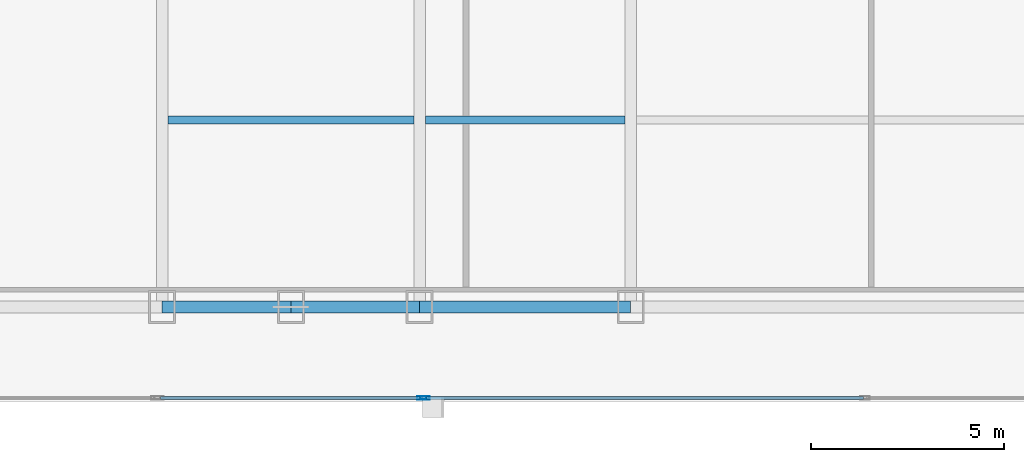
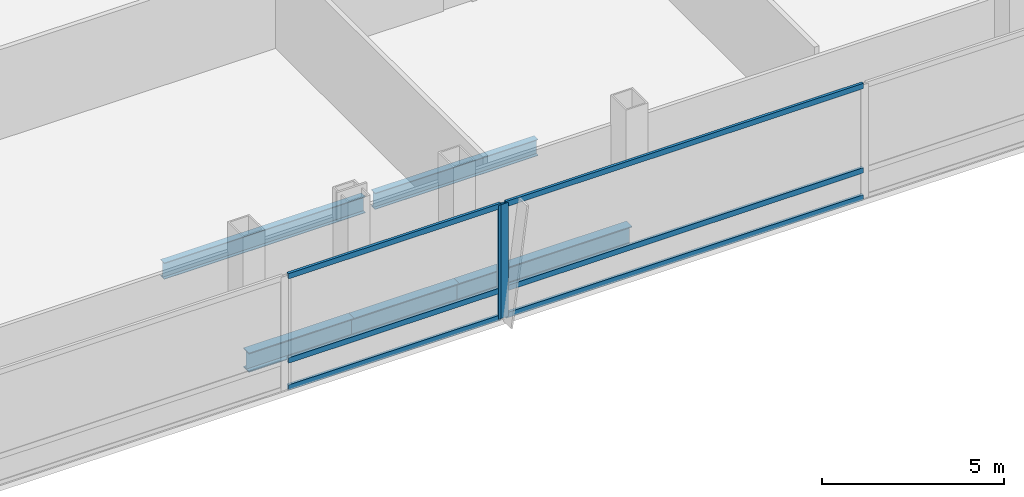
# One storey, part 8 of 30: 8 members, 5 beams, 2 elements without a shape of their own.
"""IFC4 building model written with IfcOpenShell, lengths in metres."""

from ifc_helpers import new_model, si_unit, direction, frame, origin, origin_2d, place, context, subcontext, project, spatial, hollow_rectangle, i_section, extrude, material, material_profile, profile_set, type_object, element, aggregate, save


model = new_model("IFC4")

# Units and contexts
model_context = context("Model", 3, precision=1e-05, world=origin(), true_north=direction((0.0, 1.0)))
body_context = subcontext(model_context, "Body", "Model", "MODEL_VIEW")
ifc_project = project(units=[si_unit("LENGTHUNIT", "METRE"), si_unit("AREAUNIT", "SQUARE_METRE"), si_unit("VOLUMEUNIT", "CUBIC_METRE"), si_unit("PLANEANGLEUNIT", "RADIAN"), si_unit("MASSUNIT", "GRAM", prefix="KILO")], contexts=[model_context])

# Site, building, storey
site_placement = place(None, origin())
site = spatial("IfcSite", under=ifc_project, at=site_placement, CompositionType="ELEMENT")
building_placement = place(site_placement, origin())
building = spatial("IfcBuilding", under=site, at=building_placement, Name="Khoronbel Lancet Exchange", CompositionType="ELEMENT")
storey_placement = place(building_placement, frame((0.0, 0.0, 90.60009765625)))
storey = spatial("IfcBuildingStorey", under=building, at=storey_placement, Name="L21", CompositionType="ELEMENT", Elevation=90.60009765625)

# Beams
ifc_material_1 = material(Name="Steel S355", Category="steel")
ifc_material_profile_1 = material_profile(ifc_material_1, i_section(OverallWidth=0.2099609375, OverallDepth=0.550048828125, WebThickness=0.010986328125, FlangeThickness=0.01708984375, at=origin_2d()), Name="IPE 550")
ifc_profile_set_1 = profile_set([ifc_material_profile_1], Name="Steel S355")
beam_type_1 = type_object("IfcBeamType", Name="BM-BJ2", PredefinedType="JOIST", material=ifc_profile_set_1)
beam_1_placement = place(storey_placement, frame((18.375, 15.0, -0.455078125), z_axis=(1.0, 0.0, 0.0), x_axis=(0.0, 1.0, 0.0)))
element("IfcBeam", 1, at=beam_1_placement, inside=storey, type_object=beam_type_1, Name="Level L21 secondary composite joist J01", PredefinedType="JOIST", context=body_context, shape_type="SweptSolid", body=[
    extrude(i_section(OverallWidth=0.2099609375, OverallDepth=0.550048828125, WebThickness=0.010986328125, FlangeThickness=0.01708984375, at=origin_2d()), origin(), (0.0, 0.0, 1.0), 6.375),
])
beam_2_placement = place(storey_placement, frame((25.050048828125, 15.0, -0.455078125), z_axis=(1.0, 0.0, 0.0), x_axis=(0.0, 1.0, 0.0)))
element("IfcBeam", 2, at=beam_2_placement, inside=storey, type_object=beam_type_1, Name="Level L21 secondary composite joist J02", PredefinedType="JOIST", context=body_context, shape_type="SweptSolid", body=[
    extrude(i_section(OverallWidth=0.2099609375, OverallDepth=0.550048828125, WebThickness=0.010986328125, FlangeThickness=0.01708984375, at=origin_2d()), origin(), (0.0, 0.0, 1.0), 5.175048828125),
])
ifc_material_profile_2 = material_profile(ifc_material_1, i_section(OverallWidth=0.300048828125, OverallDepth=0.64990234375, WebThickness=0.01611328125, FlangeThickness=0.031005859375, at=origin_2d()), Name="HEB 650")
ifc_profile_set_2 = profile_set([ifc_material_profile_2], Name="Steel S355")
beam_type_2 = type_object("IfcBeamType", Name="BM-BSP1", PredefinedType="SPANDREL", material=ifc_profile_set_2)
for number, where, z_axis, x_axis, name in (
    (3, (18.22509765625, 10.14990234375, -0.505126953125), (1.0, 0.0, 0.0), (0.0, 1.0, 0.0), "Level L21 perimeter spandrel beam SP02"),
    (4, (21.5625, 10.14990234375, -0.505126953125), (1.0, 0.0, 0.0), (0.0, 1.0, 0.0), "Level L21 perimeter spandrel beam SP03"),
):
    element("IfcBeam", number, at=place(storey_placement, frame(where, z_axis=z_axis, x_axis=x_axis)), inside=storey, type_object=beam_type_2, Name=name, PredefinedType="SPANDREL", context=body_context, shape_type="SweptSolid", body=[
        extrude(i_section(OverallWidth=0.300048828125, OverallDepth=0.64990234375, WebThickness=0.01611328125, FlangeThickness=0.031005859375, at=origin_2d()), origin(), (0.0, 0.0, 1.0), 3.33740234375),
    ])
beam_3_placement = place(storey_placement, frame((24.89990234375, 10.14990234375, -0.505126953125), z_axis=(1.0, 0.0, 0.0), x_axis=(0.0, 1.0, 0.0)))
element("IfcBeam", 5, at=beam_3_placement, inside=storey, type_object=beam_type_2, Name="Level L21 perimeter spandrel beam SP04", PredefinedType="SPANDREL", context=body_context, shape_type="SweptSolid", body=[
    extrude(i_section(OverallWidth=0.300048828125, OverallDepth=0.64990234375, WebThickness=0.01611328125, FlangeThickness=0.031005859375, at=origin_2d()), origin(), (0.0, 0.0, 1.0), 5.47509765625),
])

# Curtain wall, member
ifc_material_2 = material(Name="Low-E Solar Control Insulating Glass", Category="glass")
curtain_wall_type = type_object("IfcCurtainWallType", Name="CW-2", PredefinedType="NOTDEFINED", material=ifc_material_2)
curtain_wall_1_placement = place(storey_placement, origin())
curtain_wall_1 = element("IfcCurtainWall", 6, at=curtain_wall_1_placement, inside=storey, type_object=curtain_wall_type, Name="Unitised curtain wall CW-L21-SWB", PredefinedType="NOTDEFINED")
ifc_material_3 = material(Name="Bronze-Anodised Aluminium 6063-T6", Category="aluminium")
ifc_material_profile_3 = material_profile(ifc_material_3, hollow_rectangle(XDim=0.0849609375, YDim=0.239990234375, WallThickness=0.006103515625, at=origin_2d()), Name="ALU MULLION 85x240")
ifc_profile_set_3 = profile_set([ifc_material_profile_3], Name="Bronze-Anodised Aluminium 6063-T6")
member_type_1 = type_object("IfcMemberType", Name="MEM-CWM1", PredefinedType="MULLION", material=ifc_profile_set_3)
member_1_placement = place(storey_placement, frame((24.95751953125, 7.7900390625, 0.0), z_axis=(0.0, 0.0, 1.0), x_axis=(0.0, 1.0, 0.0)))
member_1 = element("IfcMember", 7, at=member_1_placement, type_object=member_type_1, Name="CW2 mullion 2", PredefinedType="MULLION", context=body_context, shape_type="SweptSolid", body=[
    extrude(hollow_rectangle(XDim=0.0849609375, YDim=0.239990234375, WallThickness=0.006103515625, at=origin_2d()), origin(), (0.0, 0.0, 1.0), 3.81982421875),
])

curtain_wall_2_placement = place(storey_placement, origin())
curtain_wall_2 = element("IfcCurtainWall", 8, at=curtain_wall_2_placement, inside=storey, type_object=curtain_wall_type, Name="Unitised curtain wall CW-L21-SCV", PredefinedType="NOTDEFINED")
member_2_placement = place(storey_placement, frame((25.04248046875, 7.7900390625, 0.0), z_axis=(0.0, 0.0, 1.0), x_axis=(0.0, 1.0, 0.0)))
member_2 = element("IfcMember", 9, at=member_2_placement, type_object=member_type_1, Name="CW2 mullion 1", PredefinedType="MULLION", context=body_context, shape_type="SweptSolid", body=[
    extrude(hollow_rectangle(XDim=0.0849609375, YDim=0.239990234375, WallThickness=0.006103515625, at=origin_2d()), origin(), (0.0, 0.0, 1.0), 3.81982421875),
])

# Member
ifc_material_profile_4 = material_profile(ifc_material_3, hollow_rectangle(XDim=0.0849609375, YDim=0.179931640625, WallThickness=0.0048828125, at=origin_2d()), Name="ALU TRANSOM 85x180")
ifc_profile_set_4 = profile_set([ifc_material_profile_4], Name="Bronze-Anodised Aluminium 6063-T6")
member_type_2 = type_object("IfcMemberType", Name="MEM-CWT1", PredefinedType="USERDEFINED", material=ifc_profile_set_4)
member_3_placement = place(storey_placement, frame((18.18505859375, 7.7900390625, 0.04248046875), z_axis=(1.0, 0.0, 0.0), x_axis=(0.0, 1.0, 0.0)))
member_3 = element("IfcMember", 10, at=member_3_placement, type_object=member_type_2, Name="CW2 transom 1.1", ObjectType="TRANSOM", PredefinedType="USERDEFINED", context=body_context, shape_type="SweptSolid", body=[
    extrude(hollow_rectangle(XDim=0.0849609375, YDim=0.179931640625, WallThickness=0.0048828125, at=origin_2d()), origin(), (0.0, 0.0, 1.0), 6.72998046875),
])

member_4_placement = place(storey_placement, frame((18.18505859375, 7.7900390625, 0.949951171875), z_axis=(1.0, 0.0, 0.0), x_axis=(0.0, 1.0, 0.0)))
member_4 = element("IfcMember", 11, at=member_4_placement, type_object=member_type_2, Name="CW2 transom 1.2", ObjectType="TRANSOM", PredefinedType="USERDEFINED", context=body_context, shape_type="SweptSolid", body=[
    extrude(hollow_rectangle(XDim=0.0849609375, YDim=0.179931640625, WallThickness=0.0048828125, at=origin_2d()), origin(), (0.0, 0.0, 1.0), 6.72998046875),
])

member_5_placement = place(storey_placement, frame((18.18505859375, 7.7900390625, 3.77734375), z_axis=(1.0, 0.0, 0.0), x_axis=(0.0, 1.0, 0.0)))
member_5 = element("IfcMember", 12, at=member_5_placement, type_object=member_type_2, Name="CW2 transom 1.3", ObjectType="TRANSOM", PredefinedType="USERDEFINED", context=body_context, shape_type="SweptSolid", body=[
    extrude(hollow_rectangle(XDim=0.0849609375, YDim=0.179931640625, WallThickness=0.0048828125, at=origin_2d()), origin(), (0.0, 0.0, 1.0), 6.72998046875),
])

aggregate(curtain_wall_1, [member_1, member_3, member_4, member_5])

member_6_placement = place(storey_placement, frame((25.0849609375, 7.7900390625, 0.04248046875), z_axis=(1.0, 0.0, 0.0), x_axis=(0.0, 1.0, 0.0)))
member_6 = element("IfcMember", 13, at=member_6_placement, type_object=member_type_2, Name="CW2 transom 1.1", ObjectType="TRANSOM", PredefinedType="USERDEFINED", context=body_context, shape_type="SweptSolid", body=[
    extrude(hollow_rectangle(XDim=0.0849609375, YDim=0.179931640625, WallThickness=0.0048828125, at=origin_2d()), origin(), (0.0, 0.0, 1.0), 11.322509765625),
])

member_7_placement = place(storey_placement, frame((25.0849609375, 7.7900390625, 0.949951171875), z_axis=(1.0, 0.0, 0.0), x_axis=(0.0, 1.0, 0.0)))
member_7 = element("IfcMember", 14, at=member_7_placement, type_object=member_type_2, Name="CW2 transom 1.2", ObjectType="TRANSOM", PredefinedType="USERDEFINED", context=body_context, shape_type="SweptSolid", body=[
    extrude(hollow_rectangle(XDim=0.0849609375, YDim=0.179931640625, WallThickness=0.0048828125, at=origin_2d()), origin(), (0.0, 0.0, 1.0), 11.322509765625),
])

member_8_placement = place(storey_placement, frame((25.0849609375, 7.7900390625, 3.77734375), z_axis=(1.0, 0.0, 0.0), x_axis=(0.0, 1.0, 0.0)))
member_8 = element("IfcMember", 15, at=member_8_placement, type_object=member_type_2, Name="CW2 transom 1.3", ObjectType="TRANSOM", PredefinedType="USERDEFINED", context=body_context, shape_type="SweptSolid", body=[
    extrude(hollow_rectangle(XDim=0.0849609375, YDim=0.179931640625, WallThickness=0.0048828125, at=origin_2d()), origin(), (0.0, 0.0, 1.0), 11.322509765625),
])

aggregate(curtain_wall_2, [member_2, member_6, member_7, member_8])

save(model, "model.ifc")
